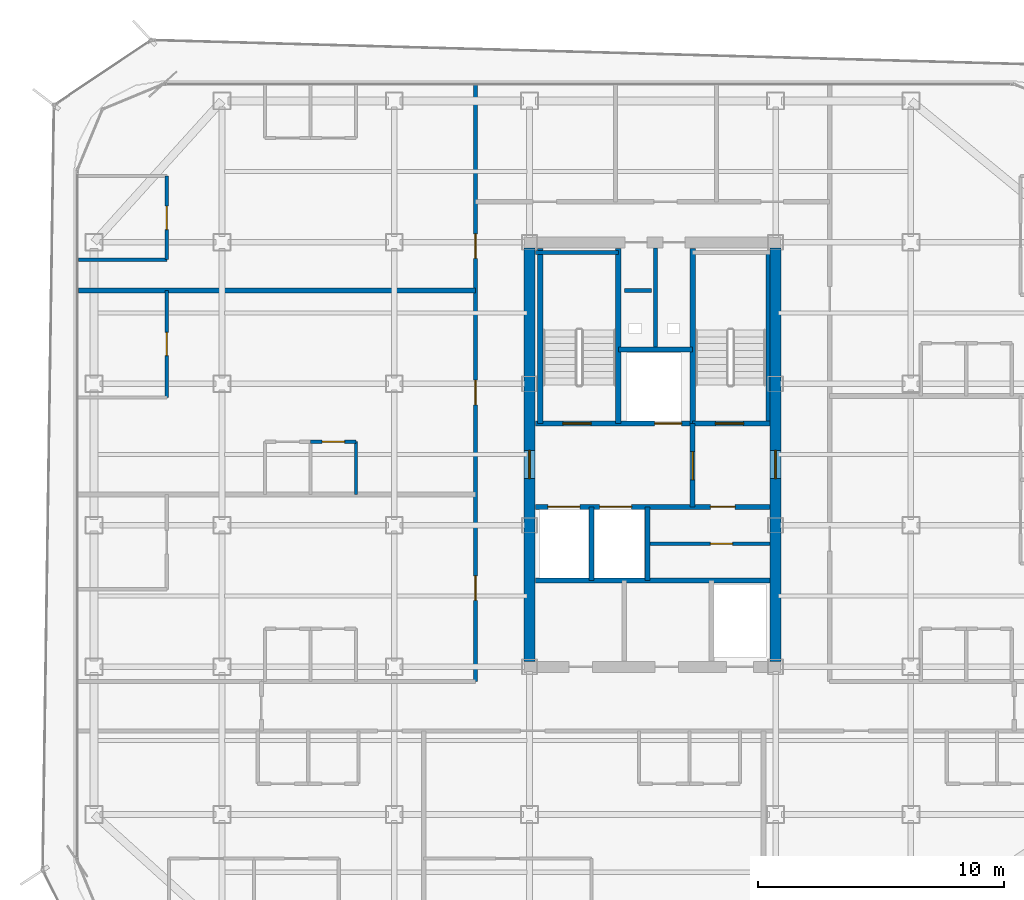
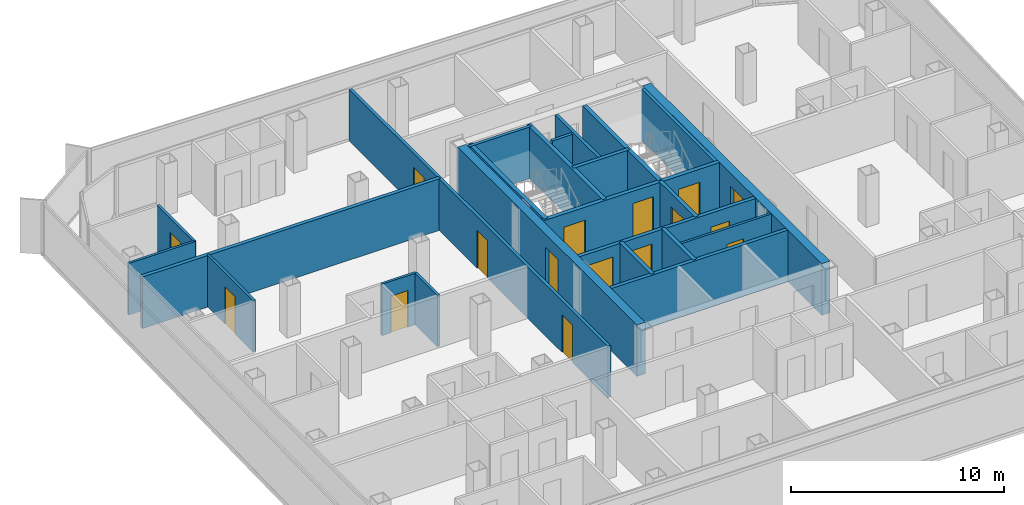
# One storey, part 11 of 16: 25 walls, 16 doors, 16 openings.
"""IFC4 building model written with IfcOpenShell, lengths in metres."""

from ifc_helpers import new_model, si_unit, direction, frame, frame_2d, origin, place, context, subcontext, project, spatial, rectangle, extrude, material, layer, layer_set, type_object, element, fill, save


model = new_model("IFC4")

# Units and contexts
model_context = context("Model", 3, precision=1e-05, world=origin(), true_north=direction((0.0, 1.0)))
body_context = subcontext(model_context, "Body", "Model", "MODEL_VIEW")
ifc_project = project(units=[si_unit("LENGTHUNIT", "METRE"), si_unit("AREAUNIT", "SQUARE_METRE"), si_unit("VOLUMEUNIT", "CUBIC_METRE"), si_unit("PLANEANGLEUNIT", "RADIAN"), si_unit("MASSUNIT", "GRAM", prefix="KILO")], contexts=[model_context])

# Site, building, storey
site_placement = place(None, origin())
site = spatial("IfcSite", under=ifc_project, at=site_placement, CompositionType="ELEMENT")
building_placement = place(site_placement, origin())
building = spatial("IfcBuilding", under=site, at=building_placement, Name="Kolveth Station Tower", CompositionType="ELEMENT")
storey_placement = place(building_placement, frame((0.0, 0.0, 159.300048828125)))
storey = spatial("IfcBuildingStorey", under=building, at=storey_placement, Name="L44", CompositionType="ELEMENT", Elevation=159.300048828125)

# Wall, opening, door
ifc_material_1 = material(Name="Concrete C50/60", Category="concrete")
ifc_layer_1 = layer(ifc_material_1, 0.449951171875)
ifc_layer_set_1 = layer_set([ifc_layer_1], Name="Concrete C50/60")
wall_type_1 = type_object("IfcWallType", Name="Wall_CW-450", PredefinedType="SHEAR", material=ifc_layer_set_1)
wall_1_placement = place(storey_placement, frame((18.5, 11.72509765625, 0.0), z_axis=(0.0, 0.0, 1.0), x_axis=(0.0, 1.0, 0.0)))
wall_1 = element("IfcWall", 1, at=wall_1_placement, inside=storey, type_object=wall_type_1, Name="L44 Core RC Shear Wall W", PredefinedType="SHEAR", context=body_context, shape_type="SweptSolid", body=[
    extrude(rectangle(XDim=16.7998046875, YDim=0.449951171875, at=frame_2d((8.39990234375, 0.0))), origin(), (0.0, 0.0, 1.0), 2.949951171875),
])
opening_1_placement = place(wall_1_placement, frame((7.425048828125, 0.0, 0.0)))
opening_1 = element("IfcOpeningElement", 2, at=opening_1_placement, cuts=wall_1, Name="Opening FD1", PredefinedType="OPENING", context=body_context, shape_type="SweptSolid", body=[
    extrude(rectangle(XDim=1.14990234375, YDim=2.199951171875, at=frame_2d((0.574951171875, 1.10009765625))), frame((0.0, 0.23486328125, 0.0), z_axis=(0.0, -1.0, 0.0), x_axis=(1.0, 0.0, 0.0)), (0.0, 0.0, 1.0), 0.469970703125),
])
ifc_material_2 = material(Name="Fire-rated Steel S355 leaf and frame", Category="steel")
door_type_1 = type_object("IfcDoorType", Name="Door_FD1", OperationType="NOTDEFINED", PredefinedType="DOOR", material=ifc_material_2)
door_1_placement = place(opening_1_placement, frame((1.14990234375, 0.0, 0.0), z_axis=(0.0, 0.0, 1.0), x_axis=(-1.0, 0.0, 0.0)))
door_1 = element("IfcDoor", 3, at=door_1_placement, inside=storey, type_object=door_type_1, Name="L44 West Corridor to Firefighting Lobby Door", OperationType="SINGLE_SWING_LEFT", OverallHeight=2.199951171875, OverallWidth=1.14990234375, PredefinedType="DOOR", context=body_context, shape_type="SweptSolid", body=[
    extrude(rectangle(XDim=1.14990234375, YDim=2.199951171875, at=frame_2d((0.574951171875, 1.10009765625))), frame((0.0, 0.02490234375, 0.0), z_axis=(0.0, -1.0, 0.0), x_axis=(1.0, 0.0, 0.0)), (0.0, 0.0, 1.0), 0.050048828125),
])
fill(opening_1, door_1)

wall_2_placement = place(storey_placement, frame((28.5, 11.72509765625, 0.0), z_axis=(0.0, 0.0, 1.0), x_axis=(0.0, 1.0, 0.0)))
wall_2 = element("IfcWall", 4, at=wall_2_placement, inside=storey, type_object=wall_type_1, Name="L44 Core RC Shear Wall E", PredefinedType="SHEAR", context=body_context, shape_type="SweptSolid", body=[
    extrude(rectangle(XDim=16.7998046875, YDim=0.449951171875, at=frame_2d((8.39990234375, 0.0))), origin(), (0.0, 0.0, 1.0), 2.949951171875),
])
opening_2_placement = place(wall_2_placement, frame((7.425048828125, 0.0, 0.0)))
opening_2 = element("IfcOpeningElement", 5, at=opening_2_placement, cuts=wall_2, Name="Opening FD1", PredefinedType="OPENING", context=body_context, shape_type="SweptSolid", body=[
    extrude(rectangle(XDim=1.14990234375, YDim=2.199951171875, at=frame_2d((0.574951171875, 1.10009765625))), frame((0.0, 0.23486328125, 0.0), z_axis=(0.0, -1.0, 0.0), x_axis=(1.0, 0.0, 0.0)), (0.0, 0.0, 1.0), 0.469970703125),
])
door_2_placement = place(opening_2_placement, origin())
door_2 = element("IfcDoor", 6, at=door_2_placement, inside=storey, type_object=door_type_1, Name="L44 East Corridor to Stair Lobby Door", OperationType="SINGLE_SWING_RIGHT", OverallHeight=2.199951171875, OverallWidth=1.14990234375, PredefinedType="DOOR", context=body_context, shape_type="SweptSolid", body=[
    extrude(rectangle(XDim=1.14990234375, YDim=2.199951171875, at=frame_2d((0.574951171875, 1.10009765625))), frame((0.0, 0.02490234375, 0.0), z_axis=(0.0, -1.0, 0.0), x_axis=(1.0, 0.0, 0.0)), (0.0, 0.0, 1.0), 0.050048828125),
])
fill(opening_2, door_2)

ifc_material_3 = material(Name="Moisture-resistant gypsum partition")
ifc_layer_2 = layer(ifc_material_3, 0.135009765625)
ifc_layer_set_2 = layer_set([ifc_layer_2], Name="Moisture-resistant gypsum partition")
wall_type_2 = type_object("IfcWallType", Name="Wall_IW-135", PredefinedType="PARTITIONING", material=ifc_layer_set_2)
wall_3_placement = place(storey_placement, frame((23.300048828125, 16.5, 0.0), z_axis=(0.0, 0.0, 1.0), x_axis=(1.0, 0.0, 0.0)))
wall_3 = element("IfcWall", 7, at=wall_3_placement, inside=storey, type_object=wall_type_2, Name="L44 Partition Wall WL-L44-CB-H1", PredefinedType="PARTITIONING", context=body_context, shape_type="SweptSolid", body=[
    extrude(rectangle(XDim=4.96484375, YDim=0.135009765625, at=frame_2d((2.482421875, 0.0))), origin(), (0.0, 0.0, 1.0), 2.949951171875),
])
opening_3_placement = place(wall_3_placement, frame((2.550048828125, 0.0, 0.0)))
opening_3 = element("IfcOpeningElement", 8, at=opening_3_placement, cuts=wall_3, Name="Opening RD1", PredefinedType="OPENING", context=body_context, shape_type="SweptSolid", body=[
    extrude(rectangle(XDim=0.89990234375, YDim=2.050048828125, at=frame_2d((0.449951171875, 1.02490234375))), frame((0.0, 0.077392578125, 0.0), z_axis=(0.0, -1.0, 0.0), x_axis=(1.0, 0.0, 0.0)), (0.0, 0.0, 1.0), 0.155029296875),
])
ifc_material_4 = material(Name="Fire-rated Steel S355 riser access leaf", Category="steel")
door_type_2 = type_object("IfcDoorType", Name="Door_RD1", OperationType="NOTDEFINED", PredefinedType="DOOR", material=ifc_material_4)
door_3_placement = place(opening_3_placement, frame((0.89990234375, 0.0, 0.0), z_axis=(0.0, 0.0, 1.0), x_axis=(-1.0, 0.0, 0.0)))
door_3 = element("IfcDoor", 9, at=door_3_placement, inside=storey, type_object=door_type_2, Name="L44 Core Equipment Store Door", OperationType="SINGLE_SWING_LEFT", OverallHeight=2.050048828125, OverallWidth=0.89990234375, PredefinedType="DOOR", context=body_context, shape_type="SweptSolid", body=[
    extrude(rectangle(XDim=0.89990234375, YDim=2.050048828125, at=frame_2d((0.449951171875, 1.02490234375))), frame((0.0, 0.02490234375, 0.0), z_axis=(0.0, -1.0, 0.0), x_axis=(1.0, 0.0, 0.0)), (0.0, 0.0, 1.0), 0.050048828125),
])
fill(opening_3, door_3)

wall_4_placement = place(storey_placement, frame((9.60009765625, 20.64990234375, 0.0), z_axis=(0.0, 0.0, 1.0), x_axis=(1.0, 0.0, 0.0)))
wall_4 = element("IfcWall", 10, at=wall_4_placement, inside=storey, type_object=wall_type_2, Name="L44 Partition Wall WL-L44-W2-IBHB", PredefinedType="PARTITIONING", context=body_context, shape_type="SweptSolid", body=[
    extrude(rectangle(XDim=1.849853515625, YDim=0.135009765625, at=frame_2d((0.9248046875, 0.0))), origin(), (0.0, 0.0, 1.0), 2.949951171875),
])
opening_4_placement = place(wall_4_placement, frame((0.465087890625, 0.0, 0.0)))
opening_4 = element("IfcOpeningElement", 11, at=opening_4_placement, cuts=wall_4, Name="Opening ID2", PredefinedType="OPENING", context=body_context, shape_type="SweptSolid", body=[
    extrude(rectangle(XDim=0.919921875, YDim=2.10009765625, at=frame_2d((0.4599609375, 1.050048828125))), frame((0.0, 0.077392578125, 0.0), z_axis=(0.0, -1.0, 0.0), x_axis=(1.0, 0.0, 0.0)), (0.0, 0.0, 1.0), 0.155029296875),
])
ifc_material_5 = material(Name="Moisture-resistant hardwood leaf", Category="wood")
door_type_3 = type_object("IfcDoorType", Name="Door_ID2", OperationType="NOTDEFINED", PredefinedType="DOOR", material=ifc_material_5)
door_4_placement = place(opening_4_placement, origin())
door_4 = element("IfcDoor", 12, at=door_4_placement, inside=storey, type_object=door_type_3, Name="Penthouse Flat L44-W2 Bathroom Door", OperationType="SINGLE_SWING_RIGHT", OverallHeight=2.10009765625, OverallWidth=0.919921875, PredefinedType="DOOR", context=body_context, shape_type="SweptSolid", body=[
    extrude(rectangle(XDim=0.919921875, YDim=2.10009765625, at=frame_2d((0.4599609375, 1.050048828125))), frame((0.0, 0.02490234375, 0.0), z_axis=(0.0, -1.0, 0.0), x_axis=(1.0, 0.0, 0.0)), (0.0, 0.0, 1.0), 0.050048828125),
])
fill(opening_4, door_4)

# Wall
wall_5_placement = place(storey_placement, frame((11.449951171875, 18.5, 0.0), z_axis=(0.0, 0.0, 1.0), x_axis=(0.0, 1.0, 0.0)))
element("IfcWall", 13, at=wall_5_placement, inside=storey, type_object=wall_type_2, Name="L44 Partition Wall WL-L44-W2-IBV2", PredefinedType="PARTITIONING", context=body_context, shape_type="SweptSolid", body=[
    extrude(rectangle(XDim=2.14990234375, YDim=0.135009765625, at=frame_2d((1.074951171875, 0.0))), origin(), (0.0, 0.0, 1.0), 2.949951171875),
])

# Wall, opening, door
wall_6_placement = place(storey_placement, frame((3.760009765625, 22.444091796875, 0.0), z_axis=(0.0, 0.0, 1.0), x_axis=(0.0, 1.0, 0.0)))
wall_6 = element("IfcWall", 14, at=wall_6_placement, inside=storey, type_object=wall_type_2, Name="L44 Partition Wall WL-L44-W2-BDV1", PredefinedType="PARTITIONING", context=body_context, shape_type="SweptSolid", body=[
    extrude(rectangle(XDim=4.35595703125, YDim=0.135009765625, at=frame_2d((2.177978515625, 0.0))), origin(), (0.0, 0.0, 1.0), 2.949951171875),
])
opening_5_placement = place(wall_6_placement, frame((1.697998046875, 0.0, 0.0)))
opening_5 = element("IfcOpeningElement", 15, at=opening_5_placement, cuts=wall_6, Name="Opening ID1", PredefinedType="OPENING", context=body_context, shape_type="SweptSolid", body=[
    extrude(rectangle(XDim=0.949951171875, YDim=2.14990234375, at=frame_2d((0.47509765625, 1.074951171875))), frame((0.0, 0.077392578125, 0.0), z_axis=(0.0, -1.0, 0.0), x_axis=(1.0, 0.0, 0.0)), (0.0, 0.0, 1.0), 0.155029296875),
])
ifc_material_6 = material(Name="Acoustic hardwood leaf and aluminium frame", Category="wood")
door_type_4 = type_object("IfcDoorType", Name="Door_ID1", OperationType="NOTDEFINED", PredefinedType="DOOR", material=ifc_material_6)
door_5_placement = place(opening_5_placement, origin())
door_5 = element("IfcDoor", 16, at=door_5_placement, inside=storey, type_object=door_type_4, Name="Penthouse Flat L44-W2 Bedroom 1 Door", OperationType="SINGLE_SWING_LEFT", OverallHeight=2.14990234375, OverallWidth=0.949951171875, PredefinedType="DOOR", context=body_context, shape_type="SweptSolid", body=[
    extrude(rectangle(XDim=0.949951171875, YDim=2.14990234375, at=frame_2d((0.47509765625, 1.074951171875))), frame((0.0, 0.02490234375, 0.0), z_axis=(0.0, -1.0, 0.0), x_axis=(1.0, 0.0, 0.0)), (0.0, 0.0, 1.0), 0.050048828125),
])
fill(opening_5, door_5)

# Wall
wall_7_placement = place(storey_placement, frame((0.159912109375, 28.050048828125, 0.0), z_axis=(0.0, 0.0, 1.0), x_axis=(1.0, 0.0, 0.0)))
element("IfcWall", 17, at=wall_7_placement, inside=storey, type_object=wall_type_2, Name="L44 Partition Wall WL-L44-W3-BDH0", PredefinedType="PARTITIONING", context=body_context, shape_type="SweptSolid", body=[
    extrude(rectangle(XDim=3.60009765625, YDim=0.135009765625, at=frame_2d((1.800048828125, 0.0))), origin(), (0.0, 0.0, 1.0), 2.949951171875),
])

# Wall, opening, door
wall_8_placement = place(storey_placement, frame((3.760009765625, 28.050048828125, 0.0), z_axis=(0.0, 0.0, 1.0), x_axis=(0.0, 1.0, 0.0)))
wall_8 = element("IfcWall", 18, at=wall_8_placement, inside=storey, type_object=wall_type_2, Name="L44 Partition Wall WL-L44-W3-BDV1", PredefinedType="PARTITIONING", context=body_context, shape_type="SweptSolid", body=[
    extrude(rectangle(XDim=3.39990234375, YDim=0.135009765625, at=frame_2d((1.699951171875, 0.0))), origin(), (0.0, 0.0, 1.0), 2.949951171875),
])
opening_6_placement = place(wall_8_placement, frame((1.219970703125, 0.0, 0.0)))
opening_6 = element("IfcOpeningElement", 19, at=opening_6_placement, cuts=wall_8, Name="Opening ID1", PredefinedType="OPENING", context=body_context, shape_type="SweptSolid", body=[
    extrude(rectangle(XDim=0.949951171875, YDim=2.14990234375, at=frame_2d((0.47509765625, 1.074951171875))), frame((0.0, 0.077392578125, 0.0), z_axis=(0.0, -1.0, 0.0), x_axis=(1.0, 0.0, 0.0)), (0.0, 0.0, 1.0), 0.155029296875),
])
door_6_placement = place(opening_6_placement, origin())
door_6 = element("IfcDoor", 20, at=door_6_placement, inside=storey, type_object=door_type_4, Name="Penthouse Flat L44-W3 Bedroom 1 Door", OperationType="SINGLE_SWING_LEFT", OverallHeight=2.14990234375, OverallWidth=0.949951171875, PredefinedType="DOOR", context=body_context, shape_type="SweptSolid", body=[
    extrude(rectangle(XDim=0.949951171875, YDim=2.14990234375, at=frame_2d((0.47509765625, 1.074951171875))), frame((0.0, 0.02490234375, 0.0), z_axis=(0.0, -1.0, 0.0), x_axis=(1.0, 0.0, 0.0)), (0.0, 0.0, 1.0), 0.050048828125),
])
fill(opening_6, door_6)

# Walls
ifc_material_7 = material(Name="Acoustic double-stud gypsum partition")
ifc_layer_3 = layer(ifc_material_7, 0.1650390625)
ifc_layer_set_3 = layer_set([ifc_layer_3], Name="Acoustic double-stud gypsum partition")
wall_type_3 = type_object("IfcWallType", Name="Wall_IW-165", PredefinedType="PARTITIONING", material=ifc_layer_set_3)
wall_9_placement = place(storey_placement, frame((18.735107421875, 28.3349609375, 0.0), z_axis=(0.0, 0.0, 1.0), x_axis=(1.0, 0.0, 0.0)))
element("IfcWall", 21, at=wall_9_placement, inside=storey, type_object=wall_type_3, Name="L44 Stair Shaft Wall WL-L44-ST1-N", PredefinedType="PARTITIONING", context=body_context, shape_type="SweptSolid", body=[
    extrude(rectangle(XDim=3.375, YDim=0.1650390625, at=frame_2d((1.6875, 0.0))), origin(), (0.0, 0.0, 1.0), 2.949951171875),
])
wall_10_placement = place(storey_placement, frame((28.1826171875, 21.389892578125, 0.0), z_axis=(0.0, 0.0, 1.0), x_axis=(0.0, 1.0, 0.0)))
element("IfcWall", 22, at=wall_10_placement, inside=storey, type_object=wall_type_3, Name="L44 Stair Shaft Wall WL-L44-ST2-E", PredefinedType="PARTITIONING", context=body_context, shape_type="SweptSolid", body=[
    extrude(rectangle(XDim=6.945068359375, YDim=0.1650390625, at=frame_2d((3.47265625, 0.0))), origin(), (0.0, 0.0, 1.0), 2.949951171875),
])
wall_11_placement = place(storey_placement, frame((23.6201171875, 24.39990234375, 0.0), z_axis=(0.0, 0.0, 1.0), x_axis=(0.0, 1.0, 0.0)))
element("IfcWall", 23, at=wall_11_placement, inside=storey, type_object=wall_type_3, Name="L44 Partition Wall WL-L44-RSR-M", PredefinedType="PARTITIONING", context=body_context, shape_type="SweptSolid", body=[
    extrude(rectangle(XDim=4.114990234375, YDim=0.1650390625, at=frame_2d((2.0576171875, 0.0))), origin(), (0.0, 0.0, 1.0), 2.949951171875),
])

# Wall, openings, doors
wall_12_placement = place(storey_placement, frame((16.300048828125, 10.89990234375, 0.0), z_axis=(0.0, 0.0, 1.0), x_axis=(0.0, 1.0, 0.0)))
wall_12 = element("IfcWall", 24, at=wall_12_placement, inside=storey, type_object=wall_type_3, Name="L44 Partition Wall WL-L44-RW", PredefinedType="PARTITIONING", context=body_context, shape_type="SweptSolid", body=[
    extrude(rectangle(XDim=24.239990234375, YDim=0.1650390625, at=frame_2d((12.1201171875, 0.0))), origin(), (0.0, 0.0, 1.0), 2.949951171875),
])
opening_7_placement = place(wall_12_placement, frame((3.300048828125, 0.0, 0.0)))
opening_7 = element("IfcOpeningElement", 25, at=opening_7_placement, cuts=wall_12, Name="Opening FD3", PredefinedType="OPENING", context=body_context, shape_type="SweptSolid", body=[
    extrude(rectangle(XDim=1.0, YDim=2.14990234375, at=frame_2d((0.5, 1.074951171875))), frame((0.0, 0.092529296875, 0.0), z_axis=(0.0, -1.0, 0.0), x_axis=(1.0, 0.0, 0.0)), (0.0, 0.0, 1.0), 0.18505859375),
])
opening_8_placement = place(wall_12_placement, frame((11.25, 0.0, 0.0)))
opening_8 = element("IfcOpeningElement", 26, at=opening_8_placement, cuts=wall_12, Name="Opening FD3", PredefinedType="OPENING", context=body_context, shape_type="SweptSolid", body=[
    extrude(rectangle(XDim=1.0, YDim=2.14990234375, at=frame_2d((0.5, 1.074951171875))), frame((0.0, 0.092529296875, 0.0), z_axis=(0.0, -1.0, 0.0), x_axis=(1.0, 0.0, 0.0)), (0.0, 0.0, 1.0), 0.18505859375),
])
opening_9_placement = place(wall_12_placement, frame((17.199951171875, 0.0, 0.0)))
opening_9 = element("IfcOpeningElement", 27, at=opening_9_placement, cuts=wall_12, Name="Opening FD3", PredefinedType="OPENING", context=body_context, shape_type="SweptSolid", body=[
    extrude(rectangle(XDim=1.0, YDim=2.14990234375, at=frame_2d((0.5, 1.074951171875))), frame((0.0, 0.092529296875, 0.0), z_axis=(0.0, -1.0, 0.0), x_axis=(1.0, 0.0, 0.0)), (0.0, 0.0, 1.0), 0.18505859375),
])
ifc_material_8 = material(Name="Fire-rated hardwood leaf and aluminium frame", Category="wood")
door_type_5 = type_object("IfcDoorType", Name="Door_FD3", OperationType="NOTDEFINED", PredefinedType="DOOR", material=ifc_material_8)
door_7_placement = place(opening_7_placement, origin())
door_7 = element("IfcDoor", 28, at=door_7_placement, inside=storey, type_object=door_type_5, Name="Penthouse Flat L44-W1 Entrance Door", OperationType="SINGLE_SWING_RIGHT", OverallHeight=2.14990234375, OverallWidth=1.0, PredefinedType="DOOR", context=body_context, shape_type="SweptSolid", body=[
    extrude(rectangle(XDim=1.0, YDim=2.14990234375, at=frame_2d((0.5, 1.074951171875))), frame((0.0, 0.02490234375, 0.0), z_axis=(0.0, -1.0, 0.0), x_axis=(1.0, 0.0, 0.0)), (0.0, 0.0, 1.0), 0.050048828125),
])
fill(opening_7, door_7)
door_8_placement = place(opening_8_placement, origin())
door_8 = element("IfcDoor", 29, at=door_8_placement, inside=storey, type_object=door_type_5, Name="Penthouse Flat L44-W2 Entrance Door", OperationType="SINGLE_SWING_LEFT", OverallHeight=2.14990234375, OverallWidth=1.0, PredefinedType="DOOR", context=body_context, shape_type="SweptSolid", body=[
    extrude(rectangle(XDim=1.0, YDim=2.14990234375, at=frame_2d((0.5, 1.074951171875))), frame((0.0, 0.02490234375, 0.0), z_axis=(0.0, -1.0, 0.0), x_axis=(1.0, 0.0, 0.0)), (0.0, 0.0, 1.0), 0.050048828125),
])
fill(opening_8, door_8)
door_9_placement = place(opening_9_placement, origin())
door_9 = element("IfcDoor", 30, at=door_9_placement, inside=storey, type_object=door_type_5, Name="Penthouse Flat L44-W3 Entrance Door", OperationType="SINGLE_SWING_RIGHT", OverallHeight=2.14990234375, OverallWidth=1.0, PredefinedType="DOOR", context=body_context, shape_type="SweptSolid", body=[
    extrude(rectangle(XDim=1.0, YDim=2.14990234375, at=frame_2d((0.5, 1.074951171875))), frame((0.0, 0.02490234375, 0.0), z_axis=(0.0, -1.0, 0.0), x_axis=(1.0, 0.0, 0.0)), (0.0, 0.0, 1.0), 0.050048828125),
])
fill(opening_9, door_9)

# Walls
wall_13_placement = place(storey_placement, frame((22.35009765625, 26.800048828125, 0.0), z_axis=(0.0, 0.0, 1.0), x_axis=(1.0, 0.0, 0.0)))
element("IfcWall", 31, at=wall_13_placement, inside=storey, type_object=wall_type_3, Name="L44 Acoustic Riser Dry-Lining Wall", PredefinedType="PARTITIONING", context=body_context, shape_type="SweptSolid", body=[
    extrude(rectangle(XDim=1.099853515625, YDim=0.1650390625, at=frame_2d((0.5498046875, 0.0))), origin(), (0.0, 0.0, 1.0), 2.949951171875),
])
ifc_material_9 = material(Name="Acoustic fire-rated gypsum blockwork", Category="masonry")
ifc_layer_4 = layer(ifc_material_9, 0.199951171875)
ifc_layer_set_4 = layer_set([ifc_layer_4], Name="Acoustic fire-rated gypsum blockwork")
wall_type_4 = type_object("IfcWallType", Name="Wall_IW-200", PredefinedType="PARTITIONING", material=ifc_layer_set_4)
wall_14_placement = place(storey_placement, frame((22.110107421875, 24.39990234375, 0.0), z_axis=(0.0, 0.0, 1.0), x_axis=(1.0, 0.0, 0.0)))
element("IfcWall", 32, at=wall_14_placement, inside=storey, type_object=wall_type_4, Name="L44 Partition Wall WL-L44-RSR-S", PredefinedType="PARTITIONING", context=body_context, shape_type="SweptSolid", body=[
    extrude(rectangle(XDim=3.019775390625, YDim=0.199951171875, at=frame_2d((1.509765625, 0.0))), origin(), (0.0, 0.0, 1.0), 2.949951171875),
])

# Wall, opening, door
wall_15_placement = place(storey_placement, frame((25.1298828125, 18.0, 0.0), z_axis=(0.0, 0.0, 1.0), x_axis=(0.0, 1.0, 0.0)))
wall_15 = element("IfcWall", 33, at=wall_15_placement, inside=storey, type_object=wall_type_4, Name="L44 Partition Wall WL-L44-FFL-E", PredefinedType="PARTITIONING", context=body_context, shape_type="SweptSolid", body=[
    extrude(rectangle(XDim=3.389892578125, YDim=0.199951171875, at=frame_2d((1.69482421875, 0.0))), origin(), (0.0, 0.0, 1.0), 2.949951171875),
])
opening_10_placement = place(wall_15_placement, frame((1.10009765625, 0.0, 0.0)))
opening_10 = element("IfcOpeningElement", 34, at=opening_10_placement, cuts=wall_15, Name="Opening FD1", PredefinedType="OPENING", context=body_context, shape_type="SweptSolid", body=[
    extrude(rectangle(XDim=1.14990234375, YDim=2.199951171875, at=frame_2d((0.574951171875, 1.10009765625))), frame((0.0, 0.10986328125, 0.0), z_axis=(0.0, -1.0, 0.0), x_axis=(1.0, 0.0, 0.0)), (0.0, 0.0, 1.0), 0.219970703125),
])
door_10_placement = place(opening_10_placement, origin())
door_10 = element("IfcDoor", 35, at=door_10_placement, inside=storey, type_object=door_type_1, Name="L44 Firefighting to Stair Lobby Door", OperationType="SINGLE_SWING_RIGHT", OverallHeight=2.199951171875, OverallWidth=1.14990234375, PredefinedType="DOOR", context=body_context, shape_type="SweptSolid", body=[
    extrude(rectangle(XDim=1.14990234375, YDim=2.199951171875, at=frame_2d((0.574951171875, 1.10009765625))), frame((0.0, 0.02490234375, 0.0), z_axis=(0.0, -1.0, 0.0), x_axis=(1.0, 0.0, 0.0)), (0.0, 0.0, 1.0), 0.050048828125),
])
fill(opening_10, door_10)

# Wall, openings, doors
wall_16_placement = place(storey_placement, frame((18.735107421875, 18.0, 0.0), z_axis=(0.0, 0.0, 1.0), x_axis=(1.0, 0.0, 0.0)))
wall_16 = element("IfcWall", 36, at=wall_16_placement, inside=storey, type_object=wall_type_4, Name="L44 Partition Wall WL-L44-FFL-S", PredefinedType="PARTITIONING", context=body_context, shape_type="SweptSolid", body=[
    extrude(rectangle(XDim=9.52978515625, YDim=0.199951171875, at=frame_2d((4.764892578125, 0.0))), origin(), (0.0, 0.0, 1.0), 2.949951171875),
])
opening_11_placement = place(wall_16_placement, frame((0.514892578125, 0.0, 0.0)))
opening_11 = element("IfcOpeningElement", 37, at=opening_11_placement, cuts=wall_16, Name="Opening LD2", PredefinedType="OPENING", context=body_context, shape_type="SweptSolid", body=[
    extrude(rectangle(XDim=1.300048828125, YDim=2.300048828125, at=frame_2d((0.64990234375, 1.14990234375))), frame((0.0, 0.10986328125, 0.0), z_axis=(0.0, -1.0, 0.0), x_axis=(1.0, 0.0, 0.0)), (0.0, 0.0, 1.0), 0.219970703125),
])
opening_12_placement = place(wall_16_placement, frame((2.614990234375, 0.0, 0.0)))
opening_12 = element("IfcOpeningElement", 38, at=opening_12_placement, cuts=wall_16, Name="Opening LD2", PredefinedType="OPENING", context=body_context, shape_type="SweptSolid", body=[
    extrude(rectangle(XDim=1.300048828125, YDim=2.300048828125, at=frame_2d((0.64990234375, 1.14990234375))), frame((0.0, 0.10986328125, 0.0), z_axis=(0.0, -1.0, 0.0), x_axis=(1.0, 0.0, 0.0)), (0.0, 0.0, 1.0), 0.219970703125),
])
opening_13_placement = place(wall_16_placement, frame((7.114990234375, 0.0, 0.0)))
opening_13 = element("IfcOpeningElement", 39, at=opening_13_placement, cuts=wall_16, Name="Opening FD3", PredefinedType="OPENING", context=body_context, shape_type="SweptSolid", body=[
    extrude(rectangle(XDim=1.0, YDim=2.14990234375, at=frame_2d((0.5, 1.074951171875))), frame((0.0, 0.10986328125, 0.0), z_axis=(0.0, -1.0, 0.0), x_axis=(1.0, 0.0, 0.0)), (0.0, 0.0, 1.0), 0.219970703125),
])
door_11_placement = place(opening_13_placement, frame((1.0, 0.0, 0.0), z_axis=(0.0, 0.0, 1.0), x_axis=(-1.0, 0.0, 0.0)))
door_11 = element("IfcDoor", 40, at=door_11_placement, inside=storey, type_object=door_type_5, Name="L44 Core Linen and Supply Store Door", OperationType="SINGLE_SWING_LEFT", OverallHeight=2.14990234375, OverallWidth=1.0, PredefinedType="DOOR", context=body_context, shape_type="SweptSolid", body=[
    extrude(rectangle(XDim=1.0, YDim=2.14990234375, at=frame_2d((0.5, 1.074951171875))), frame((0.0, 0.02490234375, 0.0), z_axis=(0.0, -1.0, 0.0), x_axis=(1.0, 0.0, 0.0)), (0.0, 0.0, 1.0), 0.050048828125),
])
fill(opening_13, door_11)
ifc_material_10 = material(Name="Firefighting stainless steel sliding landing doors", Category="steel")
door_type_6 = type_object("IfcDoorType", Name="Door_LD2", OperationType="NOTDEFINED", PredefinedType="DOOR", material=ifc_material_10)
door_12_placement = place(opening_11_placement, origin())
door_12 = element("IfcDoor", 41, at=door_12_placement, inside=storey, type_object=door_type_6, Name="L44 Firefighting Lift FF1 Landing Door", OperationType="DOUBLE_DOOR_SLIDING", OverallHeight=2.300048828125, OverallWidth=1.300048828125, PredefinedType="DOOR", context=body_context, shape_type="SweptSolid", body=[
    extrude(rectangle(XDim=1.300048828125, YDim=2.300048828125, at=frame_2d((0.64990234375, 1.14990234375))), frame((0.0, 0.02490234375, 0.0), z_axis=(0.0, -1.0, 0.0), x_axis=(1.0, 0.0, 0.0)), (0.0, 0.0, 1.0), 0.050048828125),
])
fill(opening_11, door_12)
door_13_placement = place(opening_12_placement, origin())
door_13 = element("IfcDoor", 42, at=door_13_placement, inside=storey, type_object=door_type_6, Name="L44 Firefighting Lift FF2 Landing Door", OperationType="DOUBLE_DOOR_SLIDING", OverallHeight=2.300048828125, OverallWidth=1.300048828125, PredefinedType="DOOR", context=body_context, shape_type="SweptSolid", body=[
    extrude(rectangle(XDim=1.300048828125, YDim=2.300048828125, at=frame_2d((0.64990234375, 1.14990234375))), frame((0.0, 0.02490234375, 0.0), z_axis=(0.0, -1.0, 0.0), x_axis=(1.0, 0.0, 0.0)), (0.0, 0.0, 1.0), 0.050048828125),
])
fill(opening_12, door_13)

# Walls
for number, where, z_axis, x_axis, name in (
    (43, (21.02001953125, 15.0, 0.0), (0.0, 0.0, 1.0), (0.0, 1.0, 0.0), "L44 Partition Wall WL-L44-FF12"),
    (44, (23.300048828125, 15.0, 0.0), (0.0, 0.0, 1.0), (0.0, 1.0, 0.0), "L44 Partition Wall WL-L44-FF2E"),
):
    element("IfcWall", number, at=place(storey_placement, frame(where, z_axis=z_axis, x_axis=x_axis)), inside=storey, type_object=wall_type_4, Name=name, PredefinedType="PARTITIONING", context=body_context, shape_type="SweptSolid", body=[
        extrude(rectangle(XDim=3.0, YDim=0.199951171875, at=frame_2d((1.5, 0.0))), origin(), (0.0, 0.0, 1.0), 2.949951171875),
    ])
wall_17_placement = place(storey_placement, frame((18.735107421875, 15.0, 0.0), z_axis=(0.0, 0.0, 1.0), x_axis=(1.0, 0.0, 0.0)))
element("IfcWall", 45, at=wall_17_placement, inside=storey, type_object=wall_type_4, Name="L44 Partition Wall WL-L44-BOH-S", PredefinedType="PARTITIONING", context=body_context, shape_type="SweptSolid", body=[
    extrude(rectangle(XDim=9.52978515625, YDim=0.199951171875, at=frame_2d((4.764892578125, 0.0))), origin(), (0.0, 0.0, 1.0), 2.949951171875),
])
wall_18_placement = place(storey_placement, frame((0.159912109375, 26.800048828125, 0.0), z_axis=(0.0, 0.0, 1.0), x_axis=(1.0, 0.0, 0.0)))
element("IfcWall", 46, at=wall_18_placement, inside=storey, type_object=wall_type_4, Name="L44 Partition Wall WL-L44-RWU-2", PredefinedType="PARTITIONING", context=body_context, shape_type="SweptSolid", body=[
    extrude(rectangle(XDim=16.14013671875, YDim=0.199951171875, at=frame_2d((8.070068359375, 0.0))), origin(), (0.0, 0.0, 1.0), 2.949951171875),
])
ifc_material_11 = material(Name="Concrete C40/50", Category="concrete")
ifc_layer_5 = layer(ifc_material_11, 0.219970703125)
ifc_layer_set_5 = layer_set([ifc_layer_5], Name="Concrete C40/50")
wall_type_5 = type_object("IfcWallType", Name="Wall_IW-220", PredefinedType="SOLIDWALL", material=ifc_layer_set_5)
for number, where, z_axis, x_axis, name in (
    (47, (18.929931640625, 21.389892578125, 0.0), (0.0, 0.0, 1.0), (0.0, 1.0, 0.0), "L44 Stair Shaft Wall WL-L44-ST1-W"),
    (48, (22.110107421875, 21.389892578125, 0.0), (0.0, 0.0, 1.0), (0.0, 1.0, 0.0), "L44 Stair Shaft Wall WL-L44-ST1-E"),
    (49, (25.1298828125, 21.389892578125, 0.0), (0.0, 0.0, 1.0), (0.0, 1.0, 0.0), "L44 Stair Shaft Wall WL-L44-ST2-W"),
):
    element("IfcWall", number, at=place(storey_placement, frame(where, z_axis=z_axis, x_axis=x_axis)), inside=storey, type_object=wall_type_5, Name=name, PredefinedType="SOLIDWALL", context=body_context, shape_type="SweptSolid", body=[
        extrude(rectangle(XDim=7.110107421875, YDim=0.219970703125, at=frame_2d((3.55517578125, 0.0))), origin(), (0.0, 0.0, 1.0), 2.949951171875),
    ])

# Wall, openings, doors
wall_19_placement = place(storey_placement, frame((18.735107421875, 21.389892578125, 0.0), z_axis=(0.0, 0.0, 1.0), x_axis=(1.0, 0.0, 0.0)))
wall_19 = element("IfcWall", 50, at=wall_19_placement, inside=storey, type_object=wall_type_5, Name="L44 Stair Shaft Wall WL-L44-ST1-S", PredefinedType="SOLIDWALL", context=body_context, shape_type="SweptSolid", body=[
    extrude(rectangle(XDim=6.394775390625, YDim=0.219970703125, at=frame_2d((3.197265625, 0.0))), origin(), (0.0, 0.0, 1.0), 2.949951171875),
])
opening_14_placement = place(wall_19_placement, frame((1.114990234375, 0.0, 0.0)))
opening_14 = element("IfcOpeningElement", 51, at=opening_14_placement, cuts=wall_19, Name="Opening FD1", PredefinedType="OPENING", context=body_context, shape_type="SweptSolid", body=[
    extrude(rectangle(XDim=1.14990234375, YDim=2.199951171875, at=frame_2d((0.574951171875, 1.10009765625))), frame((0.0, 0.119873046875, 0.0), z_axis=(0.0, -1.0, 0.0), x_axis=(1.0, 0.0, 0.0)), (0.0, 0.0, 1.0), 0.239990234375),
])
opening_15_placement = place(wall_19_placement, frame((4.844970703125, 0.0, 0.0)))
opening_15 = element("IfcOpeningElement", 52, at=opening_15_placement, cuts=wall_19, Name="Opening LD1", PredefinedType="OPENING", context=body_context, shape_type="SweptSolid", body=[
    extrude(rectangle(XDim=1.10009765625, YDim=2.25, at=frame_2d((0.550048828125, 1.125))), frame((0.0, 0.119873046875, 0.0), z_axis=(0.0, -1.0, 0.0), x_axis=(1.0, 0.0, 0.0)), (0.0, 0.0, 1.0), 0.239990234375),
])
door_14_placement = place(opening_14_placement, frame((1.14990234375, 0.0, 0.0), z_axis=(0.0, 0.0, 1.0), x_axis=(-1.0, 0.0, 0.0)))
door_14 = element("IfcDoor", 53, at=door_14_placement, inside=storey, type_object=door_type_1, Name="L44 Stair ST1 Fire Door", OperationType="SINGLE_SWING_RIGHT", OverallHeight=2.199951171875, OverallWidth=1.14990234375, PredefinedType="DOOR", context=body_context, shape_type="SweptSolid", body=[
    extrude(rectangle(XDim=1.14990234375, YDim=2.199951171875, at=frame_2d((0.574951171875, 1.10009765625))), frame((0.0, 0.02490234375, 0.0), z_axis=(0.0, -1.0, 0.0), x_axis=(1.0, 0.0, 0.0)), (0.0, 0.0, 1.0), 0.050048828125),
])
fill(opening_14, door_14)
ifc_material_12 = material(Name="Brushed stainless steel sliding landing doors", Category="steel")
door_type_7 = type_object("IfcDoorType", Name="Door_LD1", OperationType="NOTDEFINED", PredefinedType="DOOR", material=ifc_material_12)
door_15_placement = place(opening_15_placement, frame((1.10009765625, 0.0, 0.0), z_axis=(0.0, 0.0, 1.0), x_axis=(-1.0, 0.0, 0.0)))
door_15 = element("IfcDoor", 54, at=door_15_placement, inside=storey, type_object=door_type_7, Name="L44 Service Lift SV1 Landing Door", OperationType="DOUBLE_DOOR_SLIDING", OverallHeight=2.25, OverallWidth=1.10009765625, PredefinedType="DOOR", context=body_context, shape_type="SweptSolid", body=[
    extrude(rectangle(XDim=1.10009765625, YDim=2.25, at=frame_2d((0.550048828125, 1.125))), frame((0.0, 0.02490234375, 0.0), z_axis=(0.0, -1.0, 0.0), x_axis=(1.0, 0.0, 0.0)), (0.0, 0.0, 1.0), 0.050048828125),
])
fill(opening_15, door_15)

# Wall, opening, door
wall_20_placement = place(storey_placement, frame((25.1298828125, 21.389892578125, 0.0), z_axis=(0.0, 0.0, 1.0), x_axis=(1.0, 0.0, 0.0)))
wall_20 = element("IfcWall", 55, at=wall_20_placement, inside=storey, type_object=wall_type_5, Name="L44 Stair Shaft Wall WL-L44-ST2-S", PredefinedType="SOLIDWALL", context=body_context, shape_type="SweptSolid", body=[
    extrude(rectangle(XDim=3.135009765625, YDim=0.219970703125, at=frame_2d((1.5673828125, 0.0))), origin(), (0.0, 0.0, 1.0), 2.949951171875),
])
opening_16_placement = place(wall_20_placement, frame((0.919921875, 0.0, 0.0)))
opening_16 = element("IfcOpeningElement", 56, at=opening_16_placement, cuts=wall_20, Name="Opening FD1", PredefinedType="OPENING", context=body_context, shape_type="SweptSolid", body=[
    extrude(rectangle(XDim=1.14990234375, YDim=2.199951171875, at=frame_2d((0.574951171875, 1.10009765625))), frame((0.0, 0.119873046875, 0.0), z_axis=(0.0, -1.0, 0.0), x_axis=(1.0, 0.0, 0.0)), (0.0, 0.0, 1.0), 0.239990234375),
])
door_16_placement = place(opening_16_placement, frame((1.14990234375, 0.0, 0.0), z_axis=(0.0, 0.0, 1.0), x_axis=(-1.0, 0.0, 0.0)))
door_16 = element("IfcDoor", 57, at=door_16_placement, inside=storey, type_object=door_type_1, Name="L44 Stair ST2 Fire Door", OperationType="SINGLE_SWING_LEFT", OverallHeight=2.199951171875, OverallWidth=1.14990234375, PredefinedType="DOOR", context=body_context, shape_type="SweptSolid", body=[
    extrude(rectangle(XDim=1.14990234375, YDim=2.199951171875, at=frame_2d((0.574951171875, 1.10009765625))), frame((0.0, 0.02490234375, 0.0), z_axis=(0.0, -1.0, 0.0), x_axis=(1.0, 0.0, 0.0)), (0.0, 0.0, 1.0), 0.050048828125),
])
fill(opening_16, door_16)

save(model, "model.ifc")
